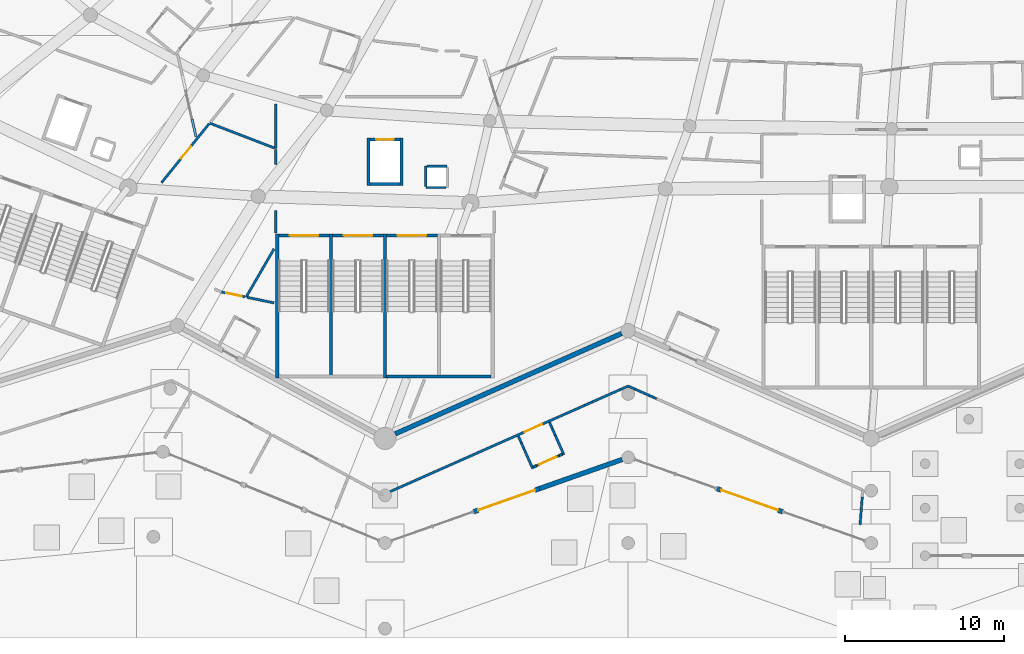
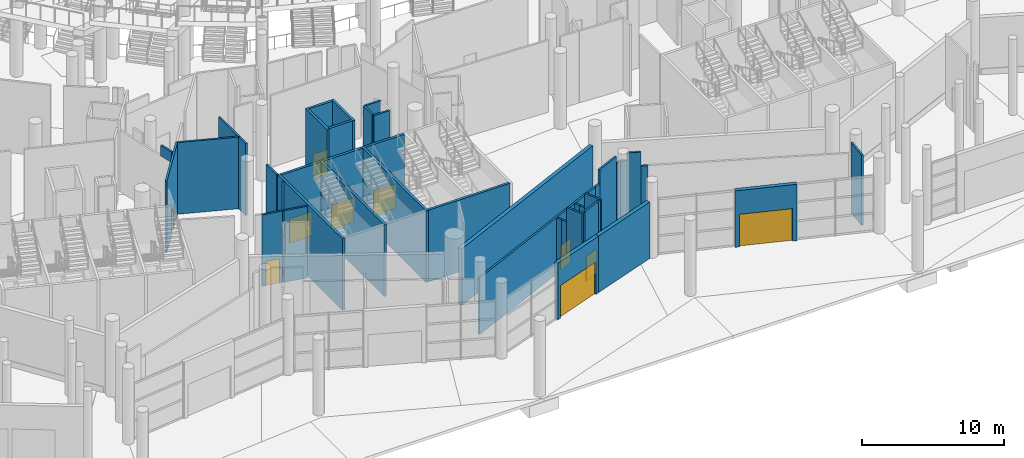
# One storey, part 105 of 255: 44 walls, 10 doors, 10 openings.
"""IFC4 building model written with IfcOpenShell, lengths in metres."""

from ifc_helpers import new_model, si_unit, direction, frame, frame_2d, origin, place, context, subcontext, project, spatial, rectangle, extrude, material, layer, layer_set, type_object, element, fill, save


model = new_model("IFC4")

# Units and contexts
model_context = context("Model", 3, precision=1e-05, world=origin(), true_north=direction((0.0, 1.0)))
body_context = subcontext(model_context, "Body", "Model", "MODEL_VIEW")
ifc_project = project(units=[si_unit("LENGTHUNIT", "METRE"), si_unit("AREAUNIT", "SQUARE_METRE"), si_unit("VOLUMEUNIT", "CUBIC_METRE"), si_unit("PLANEANGLEUNIT", "RADIAN"), si_unit("MASSUNIT", "GRAM", prefix="KILO")], contexts=[model_context])

# Site, building, storey
site_placement = place(None, origin())
site = spatial("IfcSite", under=ifc_project, at=site_placement, CompositionType="ELEMENT")
building_placement = place(site_placement, origin())
building = spatial("IfcBuilding", under=site, at=building_placement, Name="Meseta Stadium", CompositionType="ELEMENT")
storey_placement = place(building_placement, origin())
storey = spatial("IfcBuildingStorey", under=building, at=storey_placement, Name="L00", CompositionType="ELEMENT", Elevation=0.0)

# Walls
ifc_material_1 = material(Name="Concrete C40/50", Category="concrete")
ifc_layer_1 = layer(ifc_material_1, 0.199951171875)
ifc_layer_set_1 = layer_set([ifc_layer_1], Name="Core divider wall 200")
wall_type_1 = type_object("IfcWallType", Name="Core divider wall 200", PredefinedType="SHEAR", material=ifc_layer_set_1)
wall_1_placement = place(storey_placement, frame((-41.7333984375, -101.60009765625, 0.0), z_axis=(0.0, 0.0, 1.0), x_axis=(0.0, 1.0, 0.0)))
element("IfcWall", 1, at=wall_1_placement, inside=storey, type_object=wall_type_1, Name="Core 23 L00 stair A divider wall", PredefinedType="SHEAR", context=body_context, shape_type="SweptSolid", body=[
    extrude(rectangle(XDim=9.10009765625, YDim=0.199951171875, at=frame_2d((4.550048828125, 0.0))), origin(), (0.0, 0.0, 1.0), 6.14990234375),
])
ifc_material_2 = material(Name="Concrete C40/50", Category="concrete")
ifc_layer_2 = layer(ifc_material_2, 0.199951171875)
ifc_layer_set_2 = layer_set([ifc_layer_2], Name="Core shaft wall 200")
wall_type_2 = type_object("IfcWallType", Name="Core shaft wall 200", PredefinedType="SHEAR", material=ifc_layer_set_2)
for number, where, z_axis, x_axis, name in (
    (2, (-45.13330078125, -101.60009765625, 0.0), (0.0, 0.0, 1.0), (0.0, 1.0, 0.0), "Core 23 L00 stair wall A-side"),
    (3, (-38.333251953125, -101.60009765625, 0.0), (0.0, 0.0, 1.0), (0.0, 1.0, 0.0), "Core 23 L00 stair wall shared"),
):
    element("IfcWall", number, at=place(storey_placement, frame(where, z_axis=z_axis, x_axis=x_axis)), inside=storey, type_object=wall_type_2, Name=name, PredefinedType="SHEAR", context=body_context, shape_type="SweptSolid", body=[
        extrude(rectangle(XDim=9.10009765625, YDim=0.199951171875, at=frame_2d((4.550048828125, 0.0))), origin(), (0.0, 0.0, 1.0), 6.14990234375),
    ])
wall_2_placement = place(storey_placement, frame((-38.2333984375, -101.5, 0.0), z_axis=(0.0, 0.0, 1.0), x_axis=(1.0, 0.0, 0.0)))
element("IfcWall", 4, at=wall_2_placement, inside=storey, type_object=wall_type_2, Name="Core 23 L00 stair B outer end wall", PredefinedType="SHEAR", context=body_context, shape_type="SweptSolid", body=[
    extrude(rectangle(XDim=6.60009765625, YDim=0.199951171875, at=frame_2d((3.300048828125, 0.0))), origin(), (0.0, 0.0, 1.0), 6.14990234375),
])

# Wall, opening, door
wall_3_placement = place(storey_placement, frame((-45.033203125, -92.60009765625, 0.0), z_axis=(0.0, 0.0, 1.0), x_axis=(1.0, 0.0, 0.0)))
wall_3 = element("IfcWall", 5, at=wall_3_placement, inside=storey, type_object=wall_type_2, Name="Core 23 L00 stair A1 inner end wall", PredefinedType="SHEAR", context=body_context, shape_type="SweptSolid", body=[
    extrude(rectangle(XDim=3.199951171875, YDim=0.199951171875, at=frame_2d((1.60009765625, 0.0))), origin(), (0.0, 0.0, 1.0), 6.14990234375),
])
opening_1_placement = place(wall_3_placement, frame((0.699951171875, 0.0, 0.0)))
opening_1 = element("IfcOpeningElement", 6, at=opening_1_placement, cuts=wall_3, Name="Opening D309", PredefinedType="OPENING", context=body_context, shape_type="SweptSolid", body=[
    extrude(rectangle(XDim=1.800048828125, YDim=2.10009765625, at=frame_2d((0.89990234375, 1.050048828125))), frame((0.0, 0.10986328125, 0.0), z_axis=(0.0, -1.0, 0.0), x_axis=(1.0, 0.0, 0.0)), (0.0, 0.0, 1.0), 0.219970703125),
])
ifc_material_3 = material(Name="Steel", Category="steel")
door_type_1 = type_object("IfcDoorType", Name="Stair door 1800x2100", OperationType="DOUBLE_DOOR_SINGLE_SWING", PredefinedType="DOOR", material=ifc_material_3)
door_1_placement = place(opening_1_placement, origin())
door_1 = element("IfcDoor", 7, at=door_1_placement, inside=storey, type_object=door_type_1, Name="Stair A1 door 23 L00", OperationType="DOUBLE_DOOR_SINGLE_SWING", OverallHeight=2.10009765625, OverallWidth=1.800048828125, PredefinedType="DOOR", context=body_context, shape_type="SweptSolid", body=[
    extrude(rectangle(XDim=1.800048828125, YDim=2.10009765625, at=frame_2d((0.89990234375, 1.050048828125))), frame((0.0, 0.02490234375, 0.0), z_axis=(0.0, -1.0, 0.0), x_axis=(1.0, 0.0, 0.0)), (0.0, 0.0, 1.0), 0.050048828125),
])
fill(opening_1, door_1)

wall_4_placement = place(storey_placement, frame((-41.63330078125, -92.60009765625, 0.0), z_axis=(0.0, 0.0, 1.0), x_axis=(1.0, 0.0, 0.0)))
wall_4 = element("IfcWall", 8, at=wall_4_placement, inside=storey, type_object=wall_type_2, Name="Core 23 L00 stair A2 inner end wall", PredefinedType="SHEAR", context=body_context, shape_type="SweptSolid", body=[
    extrude(rectangle(XDim=3.199951171875, YDim=0.199951171875, at=frame_2d((1.60009765625, 0.0))), origin(), (0.0, 0.0, 1.0), 6.14990234375),
])
opening_2_placement = place(wall_4_placement, frame((0.699951171875, 0.0, 0.0)))
opening_2 = element("IfcOpeningElement", 9, at=opening_2_placement, cuts=wall_4, Name="Opening D310", PredefinedType="OPENING", context=body_context, shape_type="SweptSolid", body=[
    extrude(rectangle(XDim=1.800048828125, YDim=2.10009765625, at=frame_2d((0.89990234375, 1.050048828125))), frame((0.0, 0.10986328125, 0.0), z_axis=(0.0, -1.0, 0.0), x_axis=(1.0, 0.0, 0.0)), (0.0, 0.0, 1.0), 0.219970703125),
])
door_2_placement = place(opening_2_placement, origin())
door_2 = element("IfcDoor", 10, at=door_2_placement, inside=storey, type_object=door_type_1, Name="Stair A2 door 23 L00", OperationType="DOUBLE_DOOR_SINGLE_SWING", OverallHeight=2.10009765625, OverallWidth=1.800048828125, PredefinedType="DOOR", context=body_context, shape_type="SweptSolid", body=[
    extrude(rectangle(XDim=1.800048828125, YDim=2.10009765625, at=frame_2d((0.89990234375, 1.050048828125))), frame((0.0, 0.02490234375, 0.0), z_axis=(0.0, -1.0, 0.0), x_axis=(1.0, 0.0, 0.0)), (0.0, 0.0, 1.0), 0.050048828125),
])
fill(opening_2, door_2)

wall_5_placement = place(storey_placement, frame((-38.2333984375, -92.60009765625, 0.0), z_axis=(0.0, 0.0, 1.0), x_axis=(1.0, 0.0, 0.0)))
wall_5 = element("IfcWall", 11, at=wall_5_placement, inside=storey, type_object=wall_type_2, Name="Core 23 L00 stair B1 inner end wall", PredefinedType="SHEAR", context=body_context, shape_type="SweptSolid", body=[
    extrude(rectangle(XDim=3.2001953125, YDim=0.199951171875, at=frame_2d((1.60009765625, 0.0))), origin(), (0.0, 0.0, 1.0), 6.14990234375),
])
opening_3_placement = place(wall_5_placement, frame((0.699951171875, 0.0, 0.0)))
opening_3 = element("IfcOpeningElement", 12, at=opening_3_placement, cuts=wall_5, Name="Opening D311", PredefinedType="OPENING", context=body_context, shape_type="SweptSolid", body=[
    extrude(rectangle(XDim=1.800048828125, YDim=2.10009765625, at=frame_2d((0.89990234375, 1.050048828125))), frame((0.0, 0.10986328125, 0.0), z_axis=(0.0, -1.0, 0.0), x_axis=(1.0, 0.0, 0.0)), (0.0, 0.0, 1.0), 0.219970703125),
])
door_3_placement = place(opening_3_placement, origin())
door_3 = element("IfcDoor", 13, at=door_3_placement, inside=storey, type_object=door_type_1, Name="Stair B1 door 23 L00", OperationType="DOUBLE_DOOR_SINGLE_SWING", OverallHeight=2.10009765625, OverallWidth=1.800048828125, PredefinedType="DOOR", context=body_context, shape_type="SweptSolid", body=[
    extrude(rectangle(XDim=1.800048828125, YDim=2.10009765625, at=frame_2d((0.89990234375, 1.050048828125))), frame((0.0, 0.02490234375, 0.0), z_axis=(0.0, -1.0, 0.0), x_axis=(1.0, 0.0, 0.0)), (0.0, 0.0, 1.0), 0.050048828125),
])
fill(opening_3, door_3)

# Walls
for number, where, z_axis, x_axis, name in (
    (14, (-39.38330078125, -89.451171875, 0.0), (0.0, 0.0, 1.0), (0.0, 1.0, 0.0), "Core 23 L00 lift shaft wall left"),
    (15, (-37.283203125, -89.451171875, 0.0), (0.0, 0.0, 1.0), (0.0, 1.0, 0.0), "Core 23 L00 lift shaft wall right"),
):
    element("IfcWall", number, at=place(storey_placement, frame(where, z_axis=z_axis, x_axis=x_axis)), inside=storey, type_object=wall_type_2, Name=name, PredefinedType="SHEAR", context=body_context, shape_type="SweptSolid", body=[
        extrude(rectangle(XDim=3.0, YDim=0.199951171875, at=frame_2d((1.5, 0.0))), origin(), (0.0, 0.0, 1.0), 6.14990234375),
    ])
wall_6_placement = place(storey_placement, frame((-39.283203125, -89.35107421875, 0.0), z_axis=(0.0, 0.0, 1.0), x_axis=(1.0, 0.0, 0.0)))
element("IfcWall", 16, at=wall_6_placement, inside=storey, type_object=wall_type_2, Name="Core 23 L00 lift shaft back wall", PredefinedType="SHEAR", context=body_context, shape_type="SweptSolid", body=[
    extrude(rectangle(XDim=1.89990234375, YDim=0.199951171875, at=frame_2d((0.949951171875, 0.0))), origin(), (0.0, 0.0, 1.0), 6.14990234375),
])

# Wall, opening, door
wall_7_placement = place(storey_placement, frame((-39.283203125, -86.551025390625, 0.0), z_axis=(0.0, 0.0, 1.0), x_axis=(1.0, 0.0, 0.0)))
wall_7 = element("IfcWall", 17, at=wall_7_placement, inside=storey, type_object=wall_type_2, Name="Core 23 L00 lift shaft front wall", PredefinedType="SHEAR", context=body_context, shape_type="SweptSolid", body=[
    extrude(rectangle(XDim=1.89990234375, YDim=0.199951171875, at=frame_2d((0.949951171875, 0.0))), origin(), (0.0, 0.0, 1.0), 6.14990234375),
])
opening_4_placement = place(wall_7_placement, frame((0.39990234375, 0.0, 0.0)))
opening_4 = element("IfcOpeningElement", 18, at=opening_4_placement, cuts=wall_7, Name="Opening LD126", PredefinedType="OPENING", context=body_context, shape_type="SweptSolid", body=[
    extrude(rectangle(XDim=1.10009765625, YDim=2.10009765625, at=frame_2d((0.550048828125, 1.050048828125))), frame((0.0, 0.10986328125, 0.0), z_axis=(0.0, -1.0, 0.0), x_axis=(1.0, 0.0, 0.0)), (0.0, 0.0, 1.0), 0.219970703125),
])
ifc_material_4 = material(Name="Steel", Category="steel")
door_type_2 = type_object("IfcDoorType", Name="Lift landing door 1100x2100", OperationType="SLIDING_TO_LEFT", PredefinedType="DOOR", material=ifc_material_4)
door_4_placement = place(opening_4_placement, origin())
door_4 = element("IfcDoor", 19, at=door_4_placement, inside=storey, type_object=door_type_2, Name="Lift landing door LD126", OperationType="SLIDING_TO_RIGHT", OverallHeight=2.10009765625, OverallWidth=1.10009765625, PredefinedType="DOOR", context=body_context, shape_type="SweptSolid", body=[
    extrude(rectangle(XDim=1.10009765625, YDim=2.10009765625, at=frame_2d((0.550048828125, 1.050048828125))), frame((0.0, 0.02490234375, 0.0), z_axis=(0.0, -1.0, 0.0), x_axis=(1.0, 0.0, 0.0)), (0.0, 0.0, 1.0), 0.050048828125),
])
fill(opening_4, door_4)

# Walls
ifc_material_5 = material(Name="Masonry blockwork", Category="masonry")
ifc_layer_3 = layer(ifc_material_5, 0.14990234375)
ifc_layer_set_3 = layer_set([ifc_layer_3], Name="Partition 150")
wall_type_3 = type_object("IfcWallType", Name="Partition 150", PredefinedType="PARTITIONING", material=ifc_layer_set_3)
wall_8_placement = place(storey_placement, frame((-45.2333984375, -84.317138671875, 0.0), z_axis=(0.0, 0.0, 1.0), x_axis=(0.0, -1.0, 0.0)))
element("IfcWall", 20, at=wall_8_placement, inside=storey, type_object=wall_type_3, Name="Partition L00 L00-cell21-1-0", PredefinedType="PARTITIONING", context=body_context, shape_type="SweptSolid", body=[
    extrude(rectangle(XDim=2.796875, YDim=0.14990234375, at=frame_2d((1.3984375, 0.0))), origin(), (0.0, 0.0, 1.0), 6.14990234375),
])
wall_9_placement = place(storey_placement, frame((-45.308349609375, -87.085205078125, 0.0), z_axis=(0.0, 0.0, 1.0), x_axis=(-0.933326928839, 0.359027636685, 0.0)))
element("IfcWall", 21, at=wall_9_placement, inside=storey, type_object=wall_type_3, Name="Partition L00 L00-cell21-1-0", PredefinedType="PARTITIONING", context=body_context, shape_type="SweptSolid", body=[
    extrude(rectangle(XDim=4.3798828125, YDim=0.14990234375, at=frame_2d((2.18994140625, 0.0))), origin(), (0.0, 0.0, 1.0), 6.14990234375),
])
wall_10_placement = place(storey_placement, frame((-45.333251953125, -93.444580078125, 0.0), z_axis=(0.0, 0.0, 1.0), x_axis=(-0.500467191704, -0.865755502453, 0.0)))
element("IfcWall", 22, at=wall_10_placement, inside=storey, type_object=wall_type_3, Name="Partition L00 L00-cell21-2-0w", PredefinedType="PARTITIONING", context=body_context, shape_type="SweptSolid", body=[
    extrude(rectangle(XDim=3.518310546875, YDim=0.14990234375, at=frame_2d((1.75927734375, 0.0))), origin(), (0.0, 0.0, 1.0), 6.14990234375),
])

# Wall, opening, door
wall_11_placement = place(storey_placement, frame((-48.642333984375, -96.171875, 0.0), z_axis=(0.0, 0.0, 1.0), x_axis=(0.979471206502, -0.201584115529, 0.0)))
wall_11 = element("IfcWall", 23, at=wall_11_placement, inside=storey, type_object=wall_type_3, Name="Partition L00 L00-cell21-2-0w", PredefinedType="PARTITIONING", context=body_context, shape_type="SweptSolid", body=[
    extrude(rectangle(XDim=1.501708984375, YDim=0.14990234375, at=frame_2d((0.7509765625, 0.0))), origin(), (0.0, 0.0, 1.0), 6.14990234375),
])
opening_5_placement = place(wall_11_placement, frame((0.3017578125, 0.0, 0.0)))
opening_5 = element("IfcOpeningElement", 24, at=opening_5_placement, cuts=wall_11, Name="Opening D597", PredefinedType="OPENING", context=body_context, shape_type="SweptSolid", body=[
    extrude(rectangle(XDim=1.0, YDim=2.10009765625, at=frame_2d((0.5, 1.050048828125))), frame((0.0, 0.0849609375, 0.0), z_axis=(0.0, -1.0, 0.0), x_axis=(1.0, 0.0, 0.0)), (0.0, 0.0, 1.0), 0.169921875),
])
ifc_material_6 = material(Name="Steel", Category="steel")
door_type_3 = type_object("IfcDoorType", Name="Fire door 1000x2100 EI2 60", OperationType="NOTDEFINED", PredefinedType="DOOR", material=ifc_material_6)
door_5_placement = place(opening_5_placement, origin())
door_5 = element("IfcDoor", 25, at=door_5_placement, inside=storey, type_object=door_type_3, Name="Door D597", OperationType="SINGLE_SWING_LEFT", OverallHeight=2.10009765625, OverallWidth=1.0, PredefinedType="DOOR", context=body_context, shape_type="SweptSolid", body=[
    extrude(rectangle(XDim=1.0, YDim=2.10009765625, at=frame_2d((0.5, 1.050048828125))), frame((0.0, 0.02490234375, 0.0), z_axis=(0.0, -1.0, 0.0), x_axis=(1.0, 0.0, 0.0)), (0.0, 0.0, 1.0), 0.050048828125),
])
fill(opening_5, door_5)

wall_12_placement = place(storey_placement, frame((-52.4326171875, -89.27490234375, 0.0), z_axis=(0.0, 0.0, 1.0), x_axis=(0.628024689431, 0.778193413918, 0.0)))
wall_12 = element("IfcWall", 26, at=wall_12_placement, inside=storey, type_object=wall_type_3, Name="Partition L00 L00-cell21-2-0w", PredefinedType="PARTITIONING", context=body_context, shape_type="SweptSolid", body=[
    extrude(rectangle(XDim=4.78466796875, YDim=0.14990234375, at=frame_2d((2.392333984375, 0.0))), origin(), (0.0, 0.0, 1.0), 6.14990234375),
])
opening_6_placement = place(wall_12_placement, frame((1.949951171875, 0.0, 0.0)))
opening_6 = element("IfcOpeningElement", 27, at=opening_6_placement, cuts=wall_12, Name="Opening D596", PredefinedType="OPENING", context=body_context, shape_type="SweptSolid", body=[
    extrude(rectangle(XDim=1.0, YDim=2.10009765625, at=frame_2d((0.5, 1.050048828125))), frame((0.0, 0.0849609375, 0.0), z_axis=(0.0, -1.0, 0.0), x_axis=(1.0, 0.0, 0.0)), (0.0, 0.0, 1.0), 0.169921875),
])
ifc_material_7 = material(Name="Timber", Category="wood")
door_type_4 = type_object("IfcDoorType", Name="Room door 1000x2100", OperationType="NOTDEFINED", PredefinedType="DOOR", material=ifc_material_7)
door_6_placement = place(opening_6_placement, origin())
door_6 = element("IfcDoor", 28, at=door_6_placement, inside=storey, type_object=door_type_4, Name="Door D596", OperationType="SINGLE_SWING_RIGHT", OverallHeight=2.10009765625, OverallWidth=1.0, PredefinedType="DOOR", context=body_context, shape_type="SweptSolid", body=[
    extrude(rectangle(XDim=1.0, YDim=2.10009765625, at=frame_2d((0.5, 1.050048828125))), frame((0.0, 0.02490234375, 0.0), z_axis=(0.0, -1.0, 0.0), x_axis=(1.0, 0.0, 0.0)), (0.0, 0.0, 1.0), 0.050048828125),
])
fill(opening_6, door_6)

# Walls
wall_13_placement = place(storey_placement, frame((-45.2333984375, -87.1640625, 0.0), z_axis=(0.0, 0.0, 1.0), x_axis=(0.0, -1.0, 0.0)))
element("IfcWall", 29, at=wall_13_placement, inside=storey, type_object=wall_type_3, Name="Partition L00 L00-cell21-2-0w", PredefinedType="PARTITIONING", context=body_context, shape_type="SweptSolid", body=[
    extrude(rectangle(XDim=0.962890625, YDim=0.14990234375, at=frame_2d((0.4814453125, 0.0))), origin(), (0.0, 0.0, 1.0), 6.14990234375),
])
wall_14_placement = place(storey_placement, frame((-45.2333984375, -91.015625, 0.0), z_axis=(0.0, 0.0, 1.0), x_axis=(0.0, -1.0, 0.0)))
element("IfcWall", 30, at=wall_14_placement, inside=storey, type_object=wall_type_3, Name="Partition L00 L00-cell21-2-0w", PredefinedType="PARTITIONING", context=body_context, shape_type="SweptSolid", body=[
    extrude(rectangle(XDim=1.4443359375, YDim=0.14990234375, at=frame_2d((0.72216796875, 0.0))), origin(), (0.0, 0.0, 1.0), 6.14990234375),
])
wall_15_placement = place(storey_placement, frame((-47.04248046875, -96.501220703125, 0.0), z_axis=(0.0, 0.0, 1.0), x_axis=(0.979439973109, -0.201735815058, 0.0)))
element("IfcWall", 31, at=wall_15_placement, inside=storey, type_object=wall_type_3, Name="Partition L00 L00-cell21-3-0", PredefinedType="PARTITIONING", context=body_context, shape_type="SweptSolid", body=[
    extrude(rectangle(XDim=1.7451171875, YDim=0.14990234375, at=frame_2d((0.87255859375, 0.0))), origin(), (0.0, 0.0, 1.0), 6.14990234375),
])

# Wall, opening, door
wall_16_placement = place(storey_placement, frame((-38.38818359375, -108.9248046875, 0.0), z_axis=(0.0, 0.0, 1.0), x_axis=(0.914139898556, 0.405398872555, 0.0)))
wall_16 = element("IfcWall", 32, at=wall_16_placement, inside=storey, type_object=wall_type_3, Name="Partition L00 L00-ring22-0", PredefinedType="PARTITIONING", context=body_context, shape_type="SweptSolid", body=[
    extrude(rectangle(XDim=13.846435546875, YDim=0.14990234375, at=frame_2d((6.92333984375, 0.0))), origin(), (0.0, 0.0, 1.0), 4.85009765625),
])
opening_7_placement = place(wall_16_placement, frame((9.699951171875, 0.0, 0.0)))
opening_7 = element("IfcOpeningElement", 33, at=opening_7_placement, cuts=wall_16, Name="Opening D635", PredefinedType="OPENING", context=body_context, shape_type="SweptSolid", body=[
    extrude(rectangle(XDim=1.199951171875, YDim=2.10009765625, at=frame_2d((0.60009765625, 1.050048828125))), frame((0.0, 0.0849609375, 0.0), z_axis=(0.0, -1.0, 0.0), x_axis=(1.0, 0.0, 0.0)), (0.0, 0.0, 1.0), 0.169921875),
])
ifc_material_8 = material(Name="Steel", Category="steel")
door_type_5 = type_object("IfcDoorType", Name="Fire door 1200x2100 EI2 60", OperationType="NOTDEFINED", PredefinedType="DOOR", material=ifc_material_8)
door_7_placement = place(opening_7_placement, origin())
door_7 = element("IfcDoor", 34, at=door_7_placement, inside=storey, type_object=door_type_5, Name="Door D635", OperationType="SINGLE_SWING_RIGHT", OverallHeight=2.10009765625, OverallWidth=1.199951171875, PredefinedType="DOOR", context=body_context, shape_type="SweptSolid", body=[
    extrude(rectangle(XDim=1.199951171875, YDim=2.10009765625, at=frame_2d((0.60009765625, 1.050048828125))), frame((0.0, 0.02490234375, 0.0), z_axis=(0.0, -1.0, 0.0), x_axis=(1.0, 0.0, 0.0)), (0.0, 0.0, 1.0), 0.050048828125),
])
fill(opening_7, door_7)

# Walls
wall_17_placement = place(storey_placement, frame((-25.730712890625, -103.3115234375, 0.0), z_axis=(0.0, 0.0, 1.0), x_axis=(0.914255972317, 0.405137034943, 0.0)))
element("IfcWall", 35, at=wall_17_placement, inside=storey, type_object=wall_type_3, Name="Partition L00 L00-ring22-0", PredefinedType="PARTITIONING", context=body_context, shape_type="SweptSolid", body=[
    extrude(rectangle(XDim=0.497802734375, YDim=0.14990234375, at=frame_2d((0.2490234375, 0.0))), origin(), (0.0, 0.0, 1.0), 4.85009765625),
])
wall_18_placement = place(storey_placement, frame((-25.275634765625, -103.10986328125, 0.0), z_axis=(0.0, 0.0, 1.0), x_axis=(0.914139836341, 0.405399012844, 0.0)))
element("IfcWall", 36, at=wall_18_placement, inside=storey, type_object=wall_type_3, Name="Partition L00 L00-ring22-0", PredefinedType="PARTITIONING", context=body_context, shape_type="SweptSolid", body=[
    extrude(rectangle(XDim=1.991455078125, YDim=0.14990234375, at=frame_2d((0.99560546875, 0.0))), origin(), (0.0, 0.0, 1.0), 6.050048828125),
])
wall_19_placement = place(storey_placement, frame((-23.455078125, -102.302490234375, 0.0), z_axis=(0.0, 0.0, 1.0), x_axis=(0.914074243016, 0.405546887862, 0.0)))
element("IfcWall", 37, at=wall_19_placement, inside=storey, type_object=wall_type_3, Name="Partition L00 L00-ring22-0", PredefinedType="PARTITIONING", context=body_context, shape_type="SweptSolid", body=[
    extrude(rectangle(XDim=0.497802734375, YDim=0.14990234375, at=frame_2d((0.2490234375, 0.0))), origin(), (0.0, 0.0, 1.0), 5.39990234375),
])
wall_20_placement = place(storey_placement, frame((-23.0, -102.1005859375, 0.0), z_axis=(0.0, 0.0, 1.0), x_axis=(0.914078102336, -0.405538189115, 0.0)))
element("IfcWall", 38, at=wall_20_placement, inside=storey, type_object=wall_type_3, Name="Partition L00 L00-ring22-0", PredefinedType="PARTITIONING", context=body_context, shape_type="SweptSolid", body=[
    extrude(rectangle(XDim=0.49072265625, YDim=0.14990234375, at=frame_2d((0.245361328125, 0.0))), origin(), (0.0, 0.0, 1.0), 5.39990234375),
])
wall_21_placement = place(storey_placement, frame((-22.551513671875, -102.299560546875, 0.0), z_axis=(0.0, 0.0, 1.0), x_axis=(0.914119005748, -0.405445980781, 0.0)))
element("IfcWall", 39, at=wall_21_placement, inside=storey, type_object=wall_type_3, Name="Partition L00 L00-ring22-0", PredefinedType="PARTITIONING", context=body_context, shape_type="SweptSolid", body=[
    extrude(rectangle(XDim=0.9814453125, YDim=0.14990234375, at=frame_2d((0.49072265625, 0.0))), origin(), (0.0, 0.0, 1.0), 6.050048828125),
])
wall_22_placement = place(storey_placement, frame((-21.654296875, -102.697509765625, 0.0), z_axis=(0.0, 0.0, 1.0), x_axis=(0.914159881267, -0.405353810246, 0.0)))
element("IfcWall", 40, at=wall_22_placement, inside=storey, type_object=wall_type_3, Name="Partition L00 L00-ring22-0", PredefinedType="PARTITIONING", context=body_context, shape_type="SweptSolid", body=[
    extrude(rectangle(XDim=0.490966796875, YDim=0.14990234375, at=frame_2d((0.24560546875, 0.0))), origin(), (0.0, 0.0, 1.0), 4.85009765625),
])
wall_23_placement = place(storey_placement, frame((-8.23046875, -109.10302734375, 0.0), z_axis=(0.0, 0.0, 1.0), x_axis=(-0.079070188673, -0.996869051211, 0.0)))
element("IfcWall", 41, at=wall_23_placement, inside=storey, type_object=wall_type_3, Name="Partition L00 L00-ring22-0", PredefinedType="PARTITIONING", context=body_context, shape_type="SweptSolid", body=[
    extrude(rectangle(XDim=1.753662109375, YDim=0.14990234375, at=frame_2d((0.876953125, 0.0))), origin(), (0.0, 0.0, 1.0), 6.050048828125),
])
wall_24_placement = place(storey_placement, frame((-35.75830078125, -89.576171875, 0.0), z_axis=(0.0, 0.0, 1.0), x_axis=(1.0, 0.0, 0.0)))
element("IfcWall", 42, at=wall_24_placement, inside=storey, type_object=wall_type_3, Name="Pressurisation shaft wall L00 core 23", PredefinedType="PARTITIONING", context=body_context, shape_type="SweptSolid", body=[
    extrude(rectangle(XDim=1.27490234375, YDim=0.14990234375, at=frame_2d((0.637451171875, 0.0))), origin(), (0.0, 0.0, 1.0), 6.14990234375),
])
for number, where, z_axis, x_axis, name in (
    (43, (-34.408203125, -88.22607421875, 0.0), (0.0, 0.0, 1.0), (-1.0, 0.0, 0.0), "Pressurisation shaft wall L00 core 23"),
    (44, (-35.75830078125, -88.22607421875, 0.0), (0.0, 0.0, 1.0), (0.0, -1.0, 0.0), "Pressurisation shaft wall L00 core 23"),
):
    element("IfcWall", number, at=place(storey_placement, frame(where, z_axis=z_axis, x_axis=x_axis)), inside=storey, type_object=wall_type_3, Name=name, PredefinedType="PARTITIONING", context=body_context, shape_type="SweptSolid", body=[
        extrude(rectangle(XDim=1.275146484375, YDim=0.14990234375, at=frame_2d((0.6376953125, 0.0))), origin(), (0.0, 0.0, 1.0), 6.14990234375),
    ])
for number, where, z_axis, x_axis, name in (
    (45, (-29.9248046875, -105.253662109375, 0.0), (0.0, 0.0, 1.0), (0.405282518143, -0.914191490054, 0.0), "Partition L00 L00-ring22-0 vestibule"),
    (46, (-29.742431640625, -105.6650390625, 0.0), (0.0, 0.0, 1.0), (0.405282518143, -0.914191490054, 0.0), "Partition L00 L00-ring22-0 vestibule"),
):
    element("IfcWall", number, at=place(storey_placement, frame(where, z_axis=z_axis, x_axis=x_axis)), inside=storey, type_object=wall_type_3, Name=name, PredefinedType="PARTITIONING", context=body_context, shape_type="SweptSolid", body=[
        extrude(rectangle(XDim=0.449951171875, YDim=0.14990234375, at=frame_2d((0.22509765625, 0.0))), origin(), (0.0, 0.0, 1.0), 4.85009765625),
    ])
wall_25_placement = place(storey_placement, frame((-29.56005859375, -106.076416015625, 0.0), z_axis=(0.0, 0.0, 1.0), x_axis=(0.405500676078, -0.914094744379, 0.0)))
element("IfcWall", 47, at=wall_25_placement, inside=storey, type_object=wall_type_3, Name="Partition L00 L00-ring22-0 vestibule", PredefinedType="PARTITIONING", context=body_context, shape_type="SweptSolid", body=[
    extrude(rectangle(XDim=1.349853515625, YDim=0.14990234375, at=frame_2d((0.6748046875, 0.0))), origin(), (0.0, 0.0, 1.0), 6.10009765625),
])
for number, where, z_axis, x_axis, name in (
    (48, (-27.95947265625, -104.382080078125, 0.0), (0.0, 0.0, 1.0), (0.405282518143, -0.914191490054, 0.0), "Partition L00 L00-ring22-0 vestibule"),
    (49, (-27.777099609375, -104.79345703125, 0.0), (0.0, 0.0, 1.0), (0.405937043024, -0.913901043385, 0.0), "Partition L00 L00-ring22-0 vestibule"),
):
    element("IfcWall", number, at=place(storey_placement, frame(where, z_axis=z_axis, x_axis=x_axis)), inside=storey, type_object=wall_type_3, Name=name, PredefinedType="PARTITIONING", context=body_context, shape_type="SweptSolid", body=[
        extrude(rectangle(XDim=0.449951171875, YDim=0.14990234375, at=frame_2d((0.22509765625, 0.0))), origin(), (0.0, 0.0, 1.0), 4.85009765625),
    ])
wall_26_placement = place(storey_placement, frame((-27.594482421875, -105.20458984375, 0.0), z_axis=(0.0, 0.0, 1.0), x_axis=(0.405282518143, -0.914191490054, 0.0)))
element("IfcWall", 50, at=wall_26_placement, inside=storey, type_object=wall_type_3, Name="Partition L00 L00-ring22-0 vestibule", PredefinedType="PARTITIONING", context=body_context, shape_type="SweptSolid", body=[
    extrude(rectangle(XDim=1.349853515625, YDim=0.14990234375, at=frame_2d((0.6748046875, 0.0))), origin(), (0.0, 0.0, 1.0), 6.10009765625),
])
wall_27_placement = place(storey_placement, frame((-28.974609375, -107.21142578125, 0.0), z_axis=(0.0, 0.0, 1.0), x_axis=(0.914213764774, 0.405232269566, 0.0)))
element("IfcWall", 51, at=wall_27_placement, inside=storey, type_object=wall_type_3, Name="Partition L00 L00-ring22-0 vestibule", PredefinedType="PARTITIONING", context=body_context, shape_type="SweptSolid", body=[
    extrude(rectangle(XDim=0.199951171875, YDim=0.14990234375, at=frame_2d((0.10009765625, 0.0))), origin(), (0.0, 0.0, 1.0), 6.10009765625),
])

# Wall, opening, door
wall_28_placement = place(storey_placement, frame((-28.791748046875, -107.13037109375, 0.0), z_axis=(0.0, 0.0, 1.0), x_axis=(0.914132162185, 0.405416316963, 0.0)))
wall_28 = element("IfcWall", 52, at=wall_28_placement, inside=storey, type_object=wall_type_3, Name="Partition L00 L00-ring22-0 vestibule", PredefinedType="PARTITIONING", context=body_context, shape_type="SweptSolid", body=[
    extrude(rectangle(XDim=1.60009765625, YDim=0.14990234375, at=frame_2d((0.800048828125, 0.0))), origin(), (0.0, 0.0, 1.0), 6.10009765625),
])
opening_8_placement = place(wall_28_placement, frame((0.199951171875, 0.0, 0.0)))
opening_8 = element("IfcOpeningElement", 53, at=opening_8_placement, cuts=wall_28, Name="Opening D882", PredefinedType="OPENING", context=body_context, shape_type="SweptSolid", body=[
    extrude(rectangle(XDim=1.199951171875, YDim=2.10009765625, at=frame_2d((0.60009765625, 1.050048828125))), frame((0.0, 0.0849609375, 0.0), z_axis=(0.0, -1.0, 0.0), x_axis=(1.0, 0.0, 0.0)), (0.0, 0.0, 1.0), 0.169921875),
])
door_8_placement = place(opening_8_placement, origin())
door_8 = element("IfcDoor", 54, at=door_8_placement, inside=storey, type_object=door_type_5, Name="Vestibule door L00 L00-ring22-0", OperationType="SINGLE_SWING_RIGHT", OverallHeight=2.10009765625, OverallWidth=1.199951171875, PredefinedType="DOOR", context=body_context, shape_type="SweptSolid", body=[
    extrude(rectangle(XDim=1.199951171875, YDim=2.10009765625, at=frame_2d((0.60009765625, 1.050048828125))), frame((0.0, 0.02490234375, 0.0), z_axis=(0.0, -1.0, 0.0), x_axis=(1.0, 0.0, 0.0)), (0.0, 0.0, 1.0), 0.050048828125),
])
fill(opening_8, door_8)

# Walls
wall_29_placement = place(storey_placement, frame((-27.3291015625, -106.481689453125, 0.0), z_axis=(0.0, 0.0, 1.0), x_axis=(0.914213764774, 0.405232269566, 0.0)))
element("IfcWall", 55, at=wall_29_placement, inside=storey, type_object=wall_type_3, Name="Partition L00 L00-ring22-0 vestibule", PredefinedType="PARTITIONING", context=body_context, shape_type="SweptSolid", body=[
    extrude(rectangle(XDim=0.199951171875, YDim=0.14990234375, at=frame_2d((0.10009765625, 0.0))), origin(), (0.0, 0.0, 1.0), 6.10009765625),
])
wall_30_placement = place(storey_placement, frame((-50.498046875, -85.2802734375, 5.25), z_axis=(0.0, 0.0, 1.0), x_axis=(0.217757111969, -0.976002991894, 0.0)))
element("IfcWall", 56, at=wall_30_placement, inside=storey, type_object=wall_type_3, Name="Escape corridor sector wall L00 core 22", PredefinedType="PARTITIONING", context=body_context, shape_type="SweptSolid", body=[
    extrude(rectangle(XDim=1.125732421875, YDim=0.14990234375, at=frame_2d((0.56298828125, 0.0))), origin(), (0.0, 0.0, 1.0), 0.89990234375),
])
ifc_material_9 = material(Name="White precast concrete C40/50", Category="concrete")
ifc_layer_4 = layer(ifc_material_9, 0.300048828125)
ifc_layer_set_4 = layer_set([ifc_layer_4], Name="Pleated panel wall 300 concourse")
wall_type_4 = type_object("IfcWallType", Name="Pleated panel wall 300 concourse", PredefinedType="SOLIDWALL", material=ifc_layer_set_4)
wall_31_placement = place(storey_placement, frame((-23.410888671875, -98.7822265625, 0.0), z_axis=(0.0, 0.0, 1.0), x_axis=(-0.914140506485, -0.405397501722, 0.0)))
element("IfcWall", 57, at=wall_31_placement, inside=storey, type_object=wall_type_4, Name="Pleated facade panel L00 F44", PredefinedType="SOLIDWALL", context=body_context, shape_type="SweptSolid", body=[
    extrude(rectangle(XDim=15.624755859375, YDim=0.300048828125, at=frame_2d((7.8125, 0.0))), origin(), (0.0, 0.0, 1.0), 4.85009765625),
])

# Wall, opening, door
ifc_material_10 = material(Name="Precast concrete C40/50", Category="concrete")
ifc_layer_5 = layer(ifc_material_10, 0.300048828125)
ifc_layer_set_5 = layer_set([ifc_layer_5], Name="Ring facade panel wall 300")
wall_type_5 = type_object("IfcWallType", Name="Ring facade panel wall 300", PredefinedType="SOLIDWALL", material=ifc_layer_set_5)
wall_32_placement = place(storey_placement, frame((-28.591552734375, -108.569091796875, 0.0), z_axis=(0.0, 0.0, 1.0), x_axis=(-0.943210364758, -0.332196038226, 0.0)))
wall_32 = element("IfcWall", 58, at=wall_32_placement, inside=storey, type_object=wall_type_5, Name="Ring facade panel wall F44", PredefinedType="SOLIDWALL", context=body_context, shape_type="SweptSolid", body=[
    extrude(rectangle(XDim=4.39990234375, YDim=0.300048828125, at=frame_2d((2.199951171875, 0.0))), origin(), (0.0, 0.0, 1.0), 4.85009765625),
])
opening_9_placement = place(wall_32_placement, frame((0.300048828125, 0.0, 0.0)))
opening_9 = element("IfcOpeningElement", 59, at=opening_9_placement, cuts=wall_32, Name="Opening D964", PredefinedType="OPENING", context=body_context, shape_type="SweptSolid", body=[
    extrude(rectangle(XDim=3.800048828125, YDim=2.800048828125, at=frame_2d((1.89990234375, 1.39990234375))), frame((0.0, 0.159912109375, 0.0), z_axis=(0.0, -1.0, 0.0), x_axis=(1.0, 0.0, 0.0)), (0.0, 0.0, 1.0), 0.320068359375),
])
ifc_material_11 = material(Name="Steel", Category="steel")
door_type_6 = type_object("IfcDoorType", Name="Final exit door 3800x2800", OperationType="DOUBLE_DOOR_SINGLE_SWING", PredefinedType="DOOR", material=ifc_material_11)
door_9_placement = place(opening_9_placement, origin())
door_9 = element("IfcDoor", 60, at=door_9_placement, inside=storey, type_object=door_type_6, Name="Final exit F29", OperationType="DOUBLE_DOOR_SINGLE_SWING", OverallHeight=2.800048828125, OverallWidth=3.800048828125, PredefinedType="DOOR", context=body_context, shape_type="SweptSolid", body=[
    extrude(rectangle(XDim=3.800048828125, YDim=2.800048828125, at=frame_2d((1.89990234375, 1.39990234375))), frame((0.0, 0.02490234375, 0.0), z_axis=(0.0, -1.0, 0.0), x_axis=(1.0, 0.0, 0.0)), (0.0, 0.0, 1.0), 0.050048828125),
])
fill(opening_9, door_9)

# Wall
wall_33_placement = place(storey_placement, frame((-23.377197265625, -106.73291015625, 0.0), z_axis=(0.0, 0.0, 1.0), x_axis=(-0.943227349695, -0.332147808646, 0.0)))
element("IfcWall", 61, at=wall_33_placement, inside=storey, type_object=wall_type_5, Name="Ring store panel wall F44b", PredefinedType="SOLIDWALL", context=body_context, shape_type="SweptSolid", body=[
    extrude(rectangle(XDim=5.5283203125, YDim=0.300048828125, at=frame_2d((2.76416015625, 0.0))), origin(), (0.0, 0.0, 1.0), 4.85009765625),
])

# Wall, opening, door
wall_34_placement = place(storey_placement, frame((-13.25830078125, -110.03076171875, 0.0), z_axis=(0.0, 0.0, 1.0), x_axis=(-0.943210364758, 0.332196038226, 0.0)))
wall_34 = element("IfcWall", 62, at=wall_34_placement, inside=storey, type_object=wall_type_5, Name="Ring facade panel wall F45", PredefinedType="SOLIDWALL", context=body_context, shape_type="SweptSolid", body=[
    extrude(rectangle(XDim=4.39990234375, YDim=0.300048828125, at=frame_2d((2.199951171875, 0.0))), origin(), (0.0, 0.0, 1.0), 4.85009765625),
])
opening_10_placement = place(wall_34_placement, frame((0.300048828125, 0.0, 0.0)))
opening_10 = element("IfcOpeningElement", 63, at=opening_10_placement, cuts=wall_34, Name="Opening D965", PredefinedType="OPENING", context=body_context, shape_type="SweptSolid", body=[
    extrude(rectangle(XDim=3.800048828125, YDim=2.800048828125, at=frame_2d((1.89990234375, 1.39990234375))), frame((0.0, 0.159912109375, 0.0), z_axis=(0.0, -1.0, 0.0), x_axis=(1.0, 0.0, 0.0)), (0.0, 0.0, 1.0), 0.320068359375),
])
door_10_placement = place(opening_10_placement, origin())
door_10 = element("IfcDoor", 64, at=door_10_placement, inside=storey, type_object=door_type_6, Name="Final exit F30", OperationType="DOUBLE_DOOR_SINGLE_SWING", OverallHeight=2.800048828125, OverallWidth=3.800048828125, PredefinedType="DOOR", context=body_context, shape_type="SweptSolid", body=[
    extrude(rectangle(XDim=3.800048828125, YDim=2.800048828125, at=frame_2d((1.89990234375, 1.39990234375))), frame((0.0, 0.02490234375, 0.0), z_axis=(0.0, -1.0, 0.0), x_axis=(1.0, 0.0, 0.0)), (0.0, 0.0, 1.0), 0.050048828125),
])
fill(opening_10, door_10)

save(model, "model.ifc")
